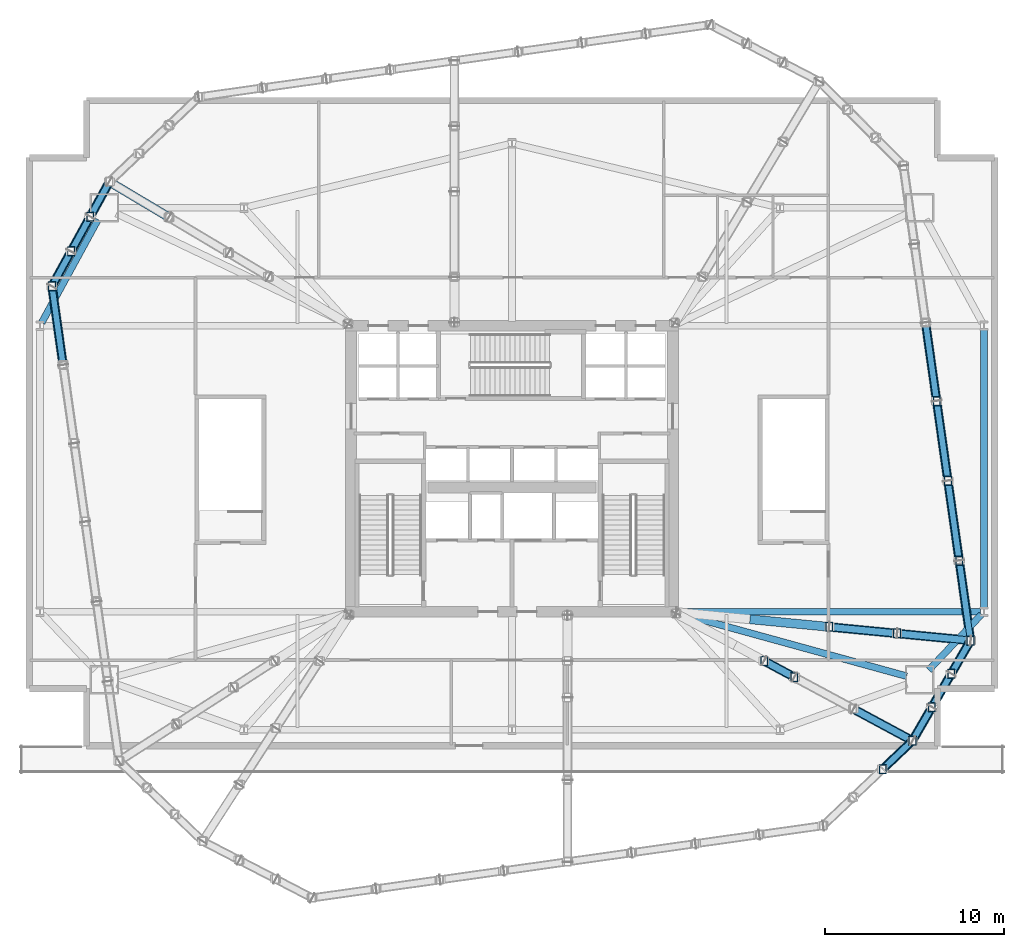
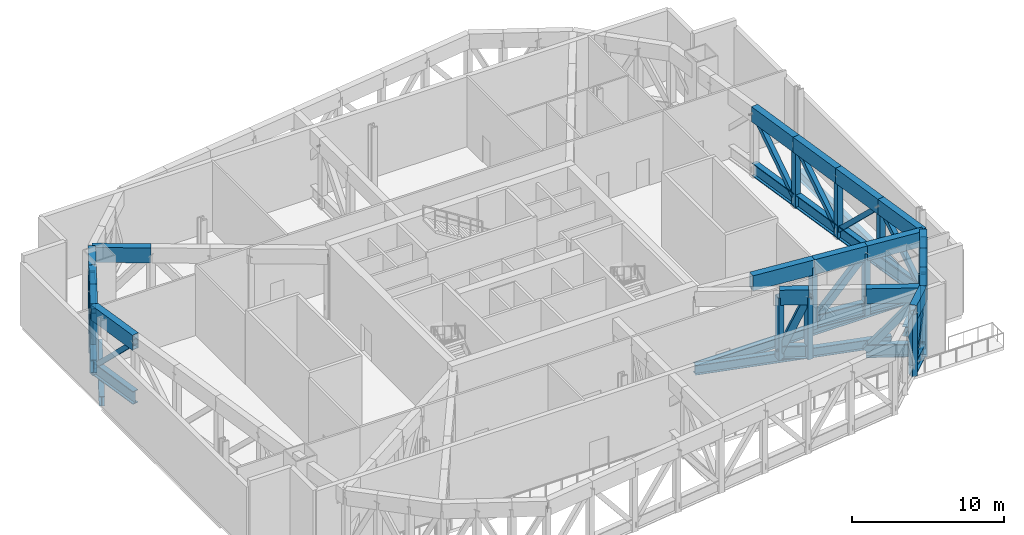
# One storey, part 3 of 15: 65 members, 5 beams.
"""IFC4 building model written with IfcOpenShell, lengths in metres."""

from ifc_helpers import new_model, si_unit, direction, frame, origin, origin_2d, place, context, subcontext, project, spatial, hollow_rectangle, i_section, extrude, material, material_profile, profile_set, type_object, element, save


model = new_model("IFC4")

# Units and contexts
model_context = context("Model", 3, precision=1e-05, world=origin(), true_north=direction((0.0, 1.0)))
body_context = subcontext(model_context, "Body", "Model", "MODEL_VIEW")
ifc_project = project(units=[si_unit("LENGTHUNIT", "METRE"), si_unit("AREAUNIT", "SQUARE_METRE"), si_unit("VOLUMEUNIT", "CUBIC_METRE"), si_unit("PLANEANGLEUNIT", "RADIAN"), si_unit("MASSUNIT", "GRAM", prefix="KILO")], contexts=[model_context])

# Site, building, storey
site_placement = place(None, origin())
site = spatial("IfcSite", under=ifc_project, at=site_placement, CompositionType="ELEMENT")
building_placement = place(site_placement, origin())
building = spatial("IfcBuilding", under=site, at=building_placement, Name="Haldenkirk Collegiate Tower", CompositionType="ELEMENT")
storey_placement = place(building_placement, frame((0.0, 0.0, 22.199951171875)))
storey = spatial("IfcBuildingStorey", under=building, at=storey_placement, Name="L04", CompositionType="ELEMENT", Elevation=22.199951171875)

# Beams
ifc_material_1 = material(Name="Steel ASTM A992 Grade 50", Category="steel")
ifc_material_profile_1 = material_profile(ifc_material_1, i_section(OverallWidth=0.381103515625, OverallDepth=0.77294921875, WebThickness=0.0166015625, FlangeThickness=0.027099609375, at=origin_2d()), Name="W30X173")
ifc_profile_set_1 = profile_set([ifc_material_profile_1], Name="Steel ASTM A992 Grade 50")
beam_type = type_object("IfcBeamType", Name="BM-GIRDER-W30X173", PredefinedType="BEAM", material=ifc_profile_set_1)
beam_1_placement = place(storey_placement, frame((59.31591796875, 14.744384765625, -0.806396484375), z_axis=(0.687730422772, 0.725966160089, 0.0), x_axis=(-0.725966160089, 0.687730422772, 0.0)))
element("IfcBeam", 1, at=beam_1_placement, inside=storey, type_object=beam_type, Name="L04 podium ring girder 05", PredefinedType="BEAM", context=body_context, shape_type="SweptSolid", body=[
    extrude(i_section(OverallWidth=0.381103515625, OverallDepth=0.77294921875, WebThickness=0.0166015625, FlangeThickness=0.027099609375, at=origin_2d()), origin(), (0.0, 0.0, 1.0), 4.284423828125),
])
beam_2_placement = place(storey_placement, frame((62.39990234375, 18.199951171875, -0.806396484375), z_axis=(0.0, 1.0, 0.0), x_axis=(-1.0, 0.0, 0.0)))
element("IfcBeam", 2, at=beam_2_placement, inside=storey, type_object=beam_type, Name="L04 podium ring girder 06", PredefinedType="BEAM", context=body_context, shape_type="SweptSolid", body=[
    extrude(i_section(OverallWidth=0.381103515625, OverallDepth=0.77294921875, WebThickness=0.0166015625, FlangeThickness=0.027099609375, at=origin_2d()), origin(), (0.0, 0.0, 1.0), 15.60009765625),
])
beam_3_placement = place(storey_placement, frame((12.8408203125, 39.941650390625, -0.806396484375), z_axis=(-0.47883650459, -0.877904096056, 0.0), x_axis=(0.877904096056, -0.47883650459, 0.0)))
element("IfcBeam", 3, at=beam_3_placement, inside=storey, type_object=beam_type, Name="L04 podium ring girder 12", PredefinedType="BEAM", context=body_context, shape_type="SweptSolid", body=[
    extrude(i_section(OverallWidth=0.381103515625, OverallDepth=0.77294921875, WebThickness=0.0166015625, FlangeThickness=0.027099609375, at=origin_2d()), origin(), (0.0, 0.0, 1.0), 6.568115234375),
])
beam_4_placement = place(storey_placement, frame((62.199951171875, 18.0, -0.806396484375), z_axis=(-1.0, 0.0, 0.0), x_axis=(0.0, -1.0, 0.0)))
element("IfcBeam", 4, at=beam_4_placement, inside=storey, type_object=beam_type, Name="L04 podium radial girder 03", PredefinedType="BEAM", context=body_context, shape_type="SweptSolid", body=[
    extrude(i_section(OverallWidth=0.381103515625, OverallDepth=0.77294921875, WebThickness=0.0166015625, FlangeThickness=0.027099609375, at=origin_2d()), origin(), (0.0, 0.0, 1.0), 16.949951171875),
])
beam_5_placement = place(storey_placement, frame((58.076904296875, 14.399169921875, -0.806396484375), z_axis=(-0.964118138457, 0.265473567606, 0.0), x_axis=(-0.265473567606, -0.964118138457, 0.0)))
element("IfcBeam", 5, at=beam_5_placement, inside=storey, type_object=beam_type, Name="L04 podium radial girder 12", PredefinedType="BEAM", context=body_context, shape_type="SweptSolid", body=[
    extrude(i_section(OverallWidth=0.381103515625, OverallDepth=0.77294921875, WebThickness=0.0166015625, FlangeThickness=0.027099609375, at=origin_2d()), origin(), (0.0, 0.0, 1.0), 13.313720703125),
])

# Members
ifc_material_2 = material(Name="Steel ASTM A572 Grade 50", Category="steel")
ifc_material_profile_2 = material_profile(ifc_material_2, hollow_rectangle(XDim=0.5, YDim=1.199951171875, WallThickness=0.050048828125, at=origin_2d()), Name="BOX1200X500X50")
ifc_profile_set_2 = profile_set([ifc_material_profile_2], Name="Steel ASTM A572 Grade 50")
member_type_1 = type_object("IfcMemberType", Name="MBR-CHORD-BOX1200", PredefinedType="CHORD", material=ifc_profile_set_2)
member_1_placement = place(storey_placement, frame((50.109375, 15.25, 4.989990234375), z_axis=(0.880553304325, -0.473947125998, 0.0), x_axis=(0.473947125998, 0.880553304325, 0.0)))
element("IfcMember", 6, at=member_1_placement, inside=storey, type_object=member_type_1, Name="Podium Transfer Truss Radial 02 top chord 3", PredefinedType="CHORD", context=body_context, shape_type="SweptSolid", body=[
    extrude(hollow_rectangle(XDim=0.5, YDim=1.199951171875, WallThickness=0.050048828125, at=origin_2d()), origin(), (0.0, 0.0, 1.0), 1.906982421875),
])
member_2_placement = place(storey_placement, frame((55.094970703125, 12.566650390625, 4.989990234375), z_axis=(0.880548340933, -0.473956347442, 0.0), x_axis=(0.473956347442, 0.880548340933, 0.0)))
element("IfcMember", 7, at=member_2_placement, inside=storey, type_object=member_type_1, Name="Podium Transfer Truss Radial 02 top chord 5", PredefinedType="CHORD", context=body_context, shape_type="SweptSolid", body=[
    extrude(hollow_rectangle(XDim=0.5, YDim=1.199951171875, WallThickness=0.050048828125, at=origin_2d()), origin(), (0.0, 0.0, 1.0), 3.754638671875),
])
member_3_placement = place(storey_placement, frame((16.81689453125, 40.06640625, 4.989990234375), z_axis=(-0.85909154755, 0.511821954324, 0.0), x_axis=(-0.511821954324, -0.85909154755, 0.0)))
element("IfcMember", 8, at=member_3_placement, inside=storey, type_object=member_type_1, Name="Podium Transfer Truss Radial 04 top chord 4", PredefinedType="CHORD", context=body_context, shape_type="SweptSolid", body=[
    extrude(hollow_rectangle(XDim=0.5, YDim=1.199951171875, WallThickness=0.050048828125, at=origin_2d()), origin(), (0.0, 0.0, 1.0), 3.88427734375),
])
member_4_placement = place(storey_placement, frame((49.311279296875, 17.583740234375, 4.989990234375), z_axis=(0.995378585489, -0.096028493424, 0.0), x_axis=(0.096028493424, 0.995378585489, 0.0)))
element("IfcMember", 9, at=member_4_placement, inside=storey, type_object=member_type_1, Name="Podium Transfer Truss Radial 06 top chord 2", PredefinedType="CHORD", context=body_context, shape_type="SweptSolid", body=[
    extrude(hollow_rectangle(XDim=0.5, YDim=1.199951171875, WallThickness=0.050048828125, at=origin_2d()), origin(), (0.0, 0.0, 1.0), 4.459228515625),
])
member_5_placement = place(storey_placement, frame((53.75, 17.155517578125, 4.989990234375), z_axis=(0.995372617527, -0.096090333942, 0.0), x_axis=(0.096090333942, 0.995372617527, 0.0)))
element("IfcMember", 10, at=member_5_placement, inside=storey, type_object=member_type_1, Name="Podium Transfer Truss Radial 06 top chord 3", PredefinedType="CHORD", context=body_context, shape_type="SweptSolid", body=[
    extrude(hollow_rectangle(XDim=0.5, YDim=1.199951171875, WallThickness=0.050048828125, at=origin_2d()), origin(), (0.0, 0.0, 1.0), 3.803466796875),
])
member_6_placement = place(storey_placement, frame((57.535888671875, 16.7900390625, 4.989990234375), z_axis=(0.995373013348, -0.096086233656, 0.0), x_axis=(0.096086233656, 0.995373013348, 0.0)))
element("IfcMember", 11, at=member_6_placement, inside=storey, type_object=member_type_1, Name="Podium Transfer Truss Radial 06 top chord 4", PredefinedType="CHORD", context=body_context, shape_type="SweptSolid", body=[
    extrude(hollow_rectangle(XDim=0.5, YDim=1.199951171875, WallThickness=0.050048828125, at=origin_2d()), origin(), (0.0, 0.0, 1.0), 4.13134765625),
])
member_7_placement = place(storey_placement, frame((56.73486328125, 9.204833984375, 4.989990234375), z_axis=(0.725145316902, 0.688595867962, 0.0), x_axis=(-0.688595867962, 0.725145316902, 0.0)))
element("IfcMember", 12, at=member_7_placement, inside=storey, type_object=member_type_1, Name="Podium Transfer Truss Belt 04 top chord 3", PredefinedType="CHORD", context=body_context, shape_type="SweptSolid", body=[
    extrude(hollow_rectangle(XDim=0.5, YDim=1.199951171875, WallThickness=0.050048828125, at=origin_2d()), origin(), (0.0, 0.0, 1.0), 2.2978515625),
])
member_8_placement = place(storey_placement, frame((58.401123046875, 10.787109375, 4.989990234375), z_axis=(0.501183331715, 0.865341128117, 0.0), x_axis=(-0.865341128117, 0.501183331715, 0.0)))
element("IfcMember", 13, at=member_8_placement, inside=storey, type_object=member_type_1, Name="Podium Transfer Truss Belt 05 top chord 1", PredefinedType="CHORD", context=body_context, shape_type="SweptSolid", body=[
    extrude(hollow_rectangle(XDim=0.5, YDim=1.199951171875, WallThickness=0.050048828125, at=origin_2d()), origin(), (0.0, 0.0, 1.0), 2.159423828125),
])
member_9_placement = place(storey_placement, frame((59.4833984375, 12.65576171875, 4.989990234375), z_axis=(0.501267983606, 0.865292094389, 0.0), x_axis=(-0.865292094389, 0.501267983606, 0.0)))
element("IfcMember", 14, at=member_9_placement, inside=storey, type_object=member_type_1, Name="Podium Transfer Truss Belt 05 top chord 2", PredefinedType="CHORD", context=body_context, shape_type="SweptSolid", body=[
    extrude(hollow_rectangle(XDim=0.5, YDim=1.199951171875, WallThickness=0.050048828125, at=origin_2d()), origin(), (0.0, 0.0, 1.0), 2.15966796875),
])
member_10_placement = place(storey_placement, frame((60.56591796875, 14.5244140625, 4.989990234375), z_axis=(0.501183331715, 0.865341128117, 0.0), x_axis=(-0.865341128117, 0.501183331715, 0.0)))
element("IfcMember", 15, at=member_10_placement, inside=storey, type_object=member_type_1, Name="Podium Transfer Truss Belt 05 top chord 3", PredefinedType="CHORD", context=body_context, shape_type="SweptSolid", body=[
    extrude(hollow_rectangle(XDim=0.5, YDim=1.199951171875, WallThickness=0.050048828125, at=origin_2d()), origin(), (0.0, 0.0, 1.0), 2.159423828125),
])
member_11_placement = place(storey_placement, frame((61.648193359375, 16.39306640625, 4.989990234375), z_axis=(-0.140056925638, 0.990143453031, 0.0), x_axis=(-0.990143453031, -0.140056925638, 0.0)))
element("IfcMember", 16, at=member_11_placement, inside=storey, type_object=member_type_1, Name="Podium Transfer Truss Belt 06 top chord 1", PredefinedType="CHORD", context=body_context, shape_type="SweptSolid", body=[
    extrude(hollow_rectangle(XDim=0.5, YDim=1.199951171875, WallThickness=0.050048828125, at=origin_2d()), origin(), (0.0, 0.0, 1.0), 4.509521484375),
])
for number, where, z_axis, x_axis, name in (
    (17, (61.0166015625, 20.858154296875, 4.989990234375), (-0.140049418268, 0.990144514928, 0.0), (-0.990144514928, -0.140049418268, 0.0), "Podium Transfer Truss Belt 06 top chord 2"),
    (18, (60.385009765625, 25.323486328125, 4.989990234375), (-0.140049418268, 0.990144514928, 0.0), (-0.990144514928, -0.140049418268, 0.0), "Podium Transfer Truss Belt 06 top chord 3"),
):
    element("IfcMember", number, at=place(storey_placement, frame(where, z_axis=z_axis, x_axis=x_axis)), inside=storey, type_object=member_type_1, Name=name, PredefinedType="CHORD", context=body_context, shape_type="SweptSolid", body=[
        extrude(hollow_rectangle(XDim=0.5, YDim=1.199951171875, WallThickness=0.050048828125, at=origin_2d()), origin(), (0.0, 0.0, 1.0), 4.509765625),
    ])
member_12_placement = place(storey_placement, frame((59.75341796875, 29.788818359375, 4.989990234375), z_axis=(-0.140032465357, 0.990146912658, 0.0), x_axis=(-0.990146912658, -0.140032465357, 0.0)))
element("IfcMember", 19, at=member_12_placement, inside=storey, type_object=member_type_1, Name="Podium Transfer Truss Belt 07 top chord 1", PredefinedType="CHORD", context=body_context, shape_type="SweptSolid", body=[
    extrude(hollow_rectangle(XDim=0.5, YDim=1.199951171875, WallThickness=0.050048828125, at=origin_2d()), origin(), (0.0, 0.0, 1.0), 4.43017578125),
])
member_13_placement = place(storey_placement, frame((13.47998046875, 42.054443359375, 4.989990234375), z_axis=(-0.482066347745, -0.876134713598, 0.0), x_axis=(0.876134713598, -0.482066347745, 0.0)))
element("IfcMember", 20, at=member_13_placement, inside=storey, type_object=member_type_1, Name="Podium Transfer Truss Belt 13 top chord 1", PredefinedType="CHORD", context=body_context, shape_type="SweptSolid", body=[
    extrude(hollow_rectangle(XDim=0.5, YDim=1.199951171875, WallThickness=0.050048828125, at=origin_2d()), origin(), (0.0, 0.0, 1.0), 2.22216796875),
])
for number, where, z_axis, x_axis, name in (
    (21, (12.40869140625, 40.107421875, 4.989990234375), (-0.482019951544, -0.87616024009, 0.0), (0.87616024009, -0.482019951544, 0.0), "Podium Transfer Truss Belt 13 top chord 2"),
    (22, (11.33740234375, 38.16015625, 4.989990234375), (-0.482019951544, -0.87616024009, 0.0), (0.87616024009, -0.482019951544, 0.0), "Podium Transfer Truss Belt 13 top chord 3"),
):
    element("IfcMember", number, at=place(storey_placement, frame(where, z_axis=z_axis, x_axis=x_axis)), inside=storey, type_object=member_type_1, Name=name, PredefinedType="CHORD", context=body_context, shape_type="SweptSolid", body=[
        extrude(hollow_rectangle(XDim=0.5, YDim=1.199951171875, WallThickness=0.050048828125, at=origin_2d()), origin(), (0.0, 0.0, 1.0), 2.222412109375),
    ])
member_14_placement = place(storey_placement, frame((10.26611328125, 36.212890625, 4.989990234375), z_axis=(0.140086493285, -0.990139270203, 0.0), x_axis=(0.990139270203, 0.140086493285, 0.0)))
element("IfcMember", 23, at=member_14_placement, inside=storey, type_object=member_type_1, Name="Podium Transfer Truss Belt 14 top chord 1", PredefinedType="CHORD", context=body_context, shape_type="SweptSolid", body=[
    extrude(hollow_rectangle(XDim=0.5, YDim=1.199951171875, WallThickness=0.050048828125, at=origin_2d()), origin(), (0.0, 0.0, 1.0), 4.43017578125),
])
ifc_material_3 = material(Name="Steel ASTM A913 Grade 65", Category="steel")
ifc_material_profile_3 = material_profile(ifc_material_3, i_section(OverallWidth=0.4189453125, OverallDepth=1.041015625, WebThickness=0.031005859375, FlangeThickness=0.055908203125, at=origin_2d()), Name="W40X397")
ifc_profile_set_3 = profile_set([ifc_material_profile_3], Name="Steel ASTM A913 Grade 65")
member_type_2 = type_object("IfcMemberType", Name="MBR-CHORD-W40X397", PredefinedType="CHORD", material=ifc_profile_set_3)
member_15_placement = place(storey_placement, frame((50.109375, 15.25, 0.550048828125), z_axis=(0.880553304325, -0.473947125998, 0.0), x_axis=(0.473947125998, 0.880553304325, 0.0)))
element("IfcMember", 24, at=member_15_placement, inside=storey, type_object=member_type_2, Name="Podium Transfer Truss Radial 02 bottom chord 3", PredefinedType="CHORD", context=body_context, shape_type="SweptSolid", body=[
    extrude(i_section(OverallWidth=0.4189453125, OverallDepth=1.041015625, WebThickness=0.031005859375, FlangeThickness=0.055908203125, at=origin_2d()), origin(), (0.0, 0.0, 1.0), 1.906982421875),
])
member_16_placement = place(storey_placement, frame((55.094970703125, 12.566650390625, 0.550048828125), z_axis=(0.880548340933, -0.473956347442, 0.0), x_axis=(0.473956347442, 0.880548340933, 0.0)))
element("IfcMember", 25, at=member_16_placement, inside=storey, type_object=member_type_2, Name="Podium Transfer Truss Radial 02 bottom chord 5", PredefinedType="CHORD", context=body_context, shape_type="SweptSolid", body=[
    extrude(i_section(OverallWidth=0.4189453125, OverallDepth=1.041015625, WebThickness=0.031005859375, FlangeThickness=0.055908203125, at=origin_2d()), origin(), (0.0, 0.0, 1.0), 3.754638671875),
])
member_17_placement = place(storey_placement, frame((53.75, 17.155517578125, 0.550048828125), z_axis=(0.995372617527, -0.096090333942, 0.0), x_axis=(0.096090333942, 0.995372617527, 0.0)))
element("IfcMember", 26, at=member_17_placement, inside=storey, type_object=member_type_2, Name="Podium Transfer Truss Radial 06 bottom chord 3", PredefinedType="CHORD", context=body_context, shape_type="SweptSolid", body=[
    extrude(i_section(OverallWidth=0.4189453125, OverallDepth=1.041015625, WebThickness=0.031005859375, FlangeThickness=0.055908203125, at=origin_2d()), origin(), (0.0, 0.0, 1.0), 3.803466796875),
])
member_18_placement = place(storey_placement, frame((57.535888671875, 16.7900390625, 0.550048828125), z_axis=(0.995373013348, -0.096086233656, 0.0), x_axis=(0.096086233656, 0.995373013348, 0.0)))
element("IfcMember", 27, at=member_18_placement, inside=storey, type_object=member_type_2, Name="Podium Transfer Truss Radial 06 bottom chord 4", PredefinedType="CHORD", context=body_context, shape_type="SweptSolid", body=[
    extrude(i_section(OverallWidth=0.4189453125, OverallDepth=1.041015625, WebThickness=0.031005859375, FlangeThickness=0.055908203125, at=origin_2d()), origin(), (0.0, 0.0, 1.0), 4.13134765625),
])
member_19_placement = place(storey_placement, frame((56.73486328125, 9.204833984375, 0.550048828125), z_axis=(0.725145316902, 0.688595867962, 0.0), x_axis=(-0.688595867962, 0.725145316902, 0.0)))
element("IfcMember", 28, at=member_19_placement, inside=storey, type_object=member_type_2, Name="Podium Transfer Truss Belt 04 bottom chord 3", PredefinedType="CHORD", context=body_context, shape_type="SweptSolid", body=[
    extrude(i_section(OverallWidth=0.4189453125, OverallDepth=1.041015625, WebThickness=0.031005859375, FlangeThickness=0.055908203125, at=origin_2d()), origin(), (0.0, 0.0, 1.0), 2.2978515625),
])
member_20_placement = place(storey_placement, frame((58.401123046875, 10.787109375, 0.550048828125), z_axis=(0.501183331715, 0.865341128117, 0.0), x_axis=(-0.865341128117, 0.501183331715, 0.0)))
element("IfcMember", 29, at=member_20_placement, inside=storey, type_object=member_type_2, Name="Podium Transfer Truss Belt 05 bottom chord 1", PredefinedType="CHORD", context=body_context, shape_type="SweptSolid", body=[
    extrude(i_section(OverallWidth=0.4189453125, OverallDepth=1.041015625, WebThickness=0.031005859375, FlangeThickness=0.055908203125, at=origin_2d()), origin(), (0.0, 0.0, 1.0), 2.159423828125),
])
member_21_placement = place(storey_placement, frame((59.4833984375, 12.65576171875, 0.550048828125), z_axis=(0.501267983606, 0.865292094389, 0.0), x_axis=(-0.865292094389, 0.501267983606, 0.0)))
element("IfcMember", 30, at=member_21_placement, inside=storey, type_object=member_type_2, Name="Podium Transfer Truss Belt 05 bottom chord 2", PredefinedType="CHORD", context=body_context, shape_type="SweptSolid", body=[
    extrude(i_section(OverallWidth=0.4189453125, OverallDepth=1.041015625, WebThickness=0.031005859375, FlangeThickness=0.055908203125, at=origin_2d()), origin(), (0.0, 0.0, 1.0), 2.15966796875),
])
member_22_placement = place(storey_placement, frame((60.56591796875, 14.5244140625, 0.550048828125), z_axis=(0.501183331715, 0.865341128117, 0.0), x_axis=(-0.865341128117, 0.501183331715, 0.0)))
element("IfcMember", 31, at=member_22_placement, inside=storey, type_object=member_type_2, Name="Podium Transfer Truss Belt 05 bottom chord 3", PredefinedType="CHORD", context=body_context, shape_type="SweptSolid", body=[
    extrude(i_section(OverallWidth=0.4189453125, OverallDepth=1.041015625, WebThickness=0.031005859375, FlangeThickness=0.055908203125, at=origin_2d()), origin(), (0.0, 0.0, 1.0), 2.159423828125),
])
member_23_placement = place(storey_placement, frame((61.648193359375, 16.39306640625, 0.550048828125), z_axis=(-0.140056925638, 0.990143453031, 0.0), x_axis=(-0.990143453031, -0.140056925638, 0.0)))
element("IfcMember", 32, at=member_23_placement, inside=storey, type_object=member_type_2, Name="Podium Transfer Truss Belt 06 bottom chord 1", PredefinedType="CHORD", context=body_context, shape_type="SweptSolid", body=[
    extrude(i_section(OverallWidth=0.4189453125, OverallDepth=1.041015625, WebThickness=0.031005859375, FlangeThickness=0.055908203125, at=origin_2d()), origin(), (0.0, 0.0, 1.0), 4.509521484375),
])
for number, where, z_axis, x_axis, name in (
    (33, (61.0166015625, 20.858154296875, 0.550048828125), (-0.140049418268, 0.990144514928, 0.0), (-0.990144514928, -0.140049418268, 0.0), "Podium Transfer Truss Belt 06 bottom chord 2"),
    (34, (60.385009765625, 25.323486328125, 0.550048828125), (-0.140049418268, 0.990144514928, 0.0), (-0.990144514928, -0.140049418268, 0.0), "Podium Transfer Truss Belt 06 bottom chord 3"),
):
    element("IfcMember", number, at=place(storey_placement, frame(where, z_axis=z_axis, x_axis=x_axis)), inside=storey, type_object=member_type_2, Name=name, PredefinedType="CHORD", context=body_context, shape_type="SweptSolid", body=[
        extrude(i_section(OverallWidth=0.4189453125, OverallDepth=1.041015625, WebThickness=0.031005859375, FlangeThickness=0.055908203125, at=origin_2d()), origin(), (0.0, 0.0, 1.0), 4.509765625),
    ])
member_24_placement = place(storey_placement, frame((59.75341796875, 29.788818359375, 0.550048828125), z_axis=(-0.140032465357, 0.990146912658, 0.0), x_axis=(-0.990146912658, -0.140032465357, 0.0)))
element("IfcMember", 35, at=member_24_placement, inside=storey, type_object=member_type_2, Name="Podium Transfer Truss Belt 07 bottom chord 1", PredefinedType="CHORD", context=body_context, shape_type="SweptSolid", body=[
    extrude(i_section(OverallWidth=0.4189453125, OverallDepth=1.041015625, WebThickness=0.031005859375, FlangeThickness=0.055908203125, at=origin_2d()), origin(), (0.0, 0.0, 1.0), 4.43017578125),
])
member_25_placement = place(storey_placement, frame((13.47998046875, 42.054443359375, 0.550048828125), z_axis=(-0.482066347745, -0.876134713598, 0.0), x_axis=(0.876134713598, -0.482066347745, 0.0)))
element("IfcMember", 36, at=member_25_placement, inside=storey, type_object=member_type_2, Name="Podium Transfer Truss Belt 13 bottom chord 1", PredefinedType="CHORD", context=body_context, shape_type="SweptSolid", body=[
    extrude(i_section(OverallWidth=0.4189453125, OverallDepth=1.041015625, WebThickness=0.031005859375, FlangeThickness=0.055908203125, at=origin_2d()), origin(), (0.0, 0.0, 1.0), 2.22216796875),
])
for number, where, z_axis, x_axis, name in (
    (37, (12.40869140625, 40.107421875, 0.550048828125), (-0.482019951544, -0.87616024009, 0.0), (0.87616024009, -0.482019951544, 0.0), "Podium Transfer Truss Belt 13 bottom chord 2"),
    (38, (11.33740234375, 38.16015625, 0.550048828125), (-0.482019951544, -0.87616024009, 0.0), (0.87616024009, -0.482019951544, 0.0), "Podium Transfer Truss Belt 13 bottom chord 3"),
):
    element("IfcMember", number, at=place(storey_placement, frame(where, z_axis=z_axis, x_axis=x_axis)), inside=storey, type_object=member_type_2, Name=name, PredefinedType="CHORD", context=body_context, shape_type="SweptSolid", body=[
        extrude(i_section(OverallWidth=0.4189453125, OverallDepth=1.041015625, WebThickness=0.031005859375, FlangeThickness=0.055908203125, at=origin_2d()), origin(), (0.0, 0.0, 1.0), 2.222412109375),
    ])
member_26_placement = place(storey_placement, frame((10.26611328125, 36.212890625, 0.550048828125), z_axis=(0.140086493285, -0.990139270203, 0.0), x_axis=(0.990139270203, 0.140086493285, 0.0)))
element("IfcMember", 39, at=member_26_placement, inside=storey, type_object=member_type_2, Name="Podium Transfer Truss Belt 14 bottom chord 1", PredefinedType="CHORD", context=body_context, shape_type="SweptSolid", body=[
    extrude(i_section(OverallWidth=0.4189453125, OverallDepth=1.041015625, WebThickness=0.031005859375, FlangeThickness=0.055908203125, at=origin_2d()), origin(), (0.0, 0.0, 1.0), 4.43017578125),
])
ifc_material_profile_4 = material_profile(ifc_material_2, hollow_rectangle(XDim=0.35009765625, YDim=0.35009765625, WallThickness=0.01611328125, at=origin_2d()), Name="HSS350X350X16")
ifc_profile_set_4 = profile_set([ifc_material_profile_4], Name="Steel ASTM A572 Grade 50")
member_type_3 = type_object("IfcMemberType", Name="MBR-TRUSSDIAG-HSS350X350X16", PredefinedType="BRACE", material=ifc_profile_set_4)
member_27_placement = place(storey_placement, frame((56.73486328125, 9.204833984375, 0.550048828125), z_axis=(0.333297973358, 0.316498778804, 0.888110907472), x_axis=(-0.688595867962, 0.725145316902, 0.0)))
element("IfcMember", 40, at=member_27_placement, inside=storey, type_object=member_type_3, Name="Podium Transfer Truss Belt 04 web diagonal 3", PredefinedType="BRACE", context=body_context, shape_type="SweptSolid", body=[
    extrude(hollow_rectangle(XDim=0.35009765625, YDim=0.35009765625, WallThickness=0.01611328125, at=origin_2d()), origin(), (0.0, 0.0, 1.0), 4.999267578125),
])
for number, where, z_axis, x_axis, name in (
    (41, (58.401123046875, 10.787109375, 0.550048828125), (0.219206907422, 0.378481766165, 0.899277423501), (-0.865341128117, 0.501183331715, 0.0), "Podium Transfer Truss Belt 05 web diagonal 1"),
    (42, (59.4833984375, 12.65576171875, 4.989990234375), (0.21925397944, 0.378477663202, -0.899267674809), (-0.865292094389, 0.501267983606, 0.0), "Podium Transfer Truss Belt 05 web diagonal 2"),
    (43, (60.56591796875, 14.5244140625, 0.550048828125), (0.219206907422, 0.378481766165, 0.899277423501), (-0.865341128117, 0.501183331715, 0.0), "Podium Transfer Truss Belt 05 web diagonal 3"),
):
    element("IfcMember", number, at=place(storey_placement, frame(where, z_axis=z_axis, x_axis=x_axis)), inside=storey, type_object=member_type_3, Name=name, PredefinedType="BRACE", context=body_context, shape_type="SweptSolid", body=[
        extrude(hollow_rectangle(XDim=0.35009765625, YDim=0.35009765625, WallThickness=0.01611328125, at=origin_2d()), origin(), (0.0, 0.0, 1.0), 4.937255859375),
    ])
member_28_placement = place(storey_placement, frame((61.648193359375, 16.39306640625, 0.550048828125), z_axis=(-0.099802324059, 0.705560380639, 0.70158680531), x_axis=(-0.990143453031, -0.140056925638, 0.0)))
element("IfcMember", 44, at=member_28_placement, inside=storey, type_object=member_type_3, Name="Podium Transfer Truss Belt 06 web diagonal 1", PredefinedType="BRACE", context=body_context, shape_type="SweptSolid", body=[
    extrude(hollow_rectangle(XDim=0.35009765625, YDim=0.35009765625, WallThickness=0.01611328125, at=origin_2d()), origin(), (0.0, 0.0, 1.0), 6.328369140625),
])
for number, where, z_axis, x_axis, name in (
    (45, (61.0166015625, 20.858154296875, 4.989990234375), (-0.099799607537, 0.705579753325, -0.701567708801), (-0.990144514928, -0.140049418268, 0.0), "Podium Transfer Truss Belt 06 web diagonal 2"),
    (46, (60.385009765625, 25.323486328125, 0.550048828125), (-0.099799607537, 0.705579753325, 0.701567708801), (-0.990144514928, -0.140049418268, 0.0), "Podium Transfer Truss Belt 06 web diagonal 3"),
):
    element("IfcMember", number, at=place(storey_placement, frame(where, z_axis=z_axis, x_axis=x_axis)), inside=storey, type_object=member_type_3, Name=name, PredefinedType="BRACE", context=body_context, shape_type="SweptSolid", body=[
        extrude(hollow_rectangle(XDim=0.35009765625, YDim=0.35009765625, WallThickness=0.01611328125, at=origin_2d()), origin(), (0.0, 0.0, 1.0), 6.32861328125),
    ])
member_29_placement = place(storey_placement, frame((59.75341796875, 29.788818359375, 0.550048828125), z_axis=(-0.098908263431, 0.699364332573, 0.707888893648), x_axis=(-0.990146912658, -0.140032465357, 0.0)))
element("IfcMember", 47, at=member_29_placement, inside=storey, type_object=member_type_3, Name="Podium Transfer Truss Belt 07 web diagonal 1", PredefinedType="BRACE", context=body_context, shape_type="SweptSolid", body=[
    extrude(hollow_rectangle(XDim=0.35009765625, YDim=0.35009765625, WallThickness=0.01611328125, at=origin_2d()), origin(), (0.0, 0.0, 1.0), 6.27197265625),
])
for number, where, z_axis, x_axis, name in (
    (48, (13.47998046875, 42.054443359375, 0.550048828125), (-0.215766405992, -0.392146100225, 0.894240624286), (0.876134713598, -0.482066347745, 0.0), "Podium Transfer Truss Belt 13 web diagonal 1"),
    (49, (12.40869140625, 40.107421875, 4.989990234375), (-0.215762245319, -0.392187709358, -0.894223380439), (0.87616024009, -0.482019951544, 0.0), "Podium Transfer Truss Belt 13 web diagonal 2"),
    (50, (11.33740234375, 38.16015625, 0.550048828125), (-0.215762245319, -0.392187709358, 0.894223380439), (0.87616024009, -0.482019951544, 0.0), "Podium Transfer Truss Belt 13 web diagonal 3"),
):
    element("IfcMember", number, at=place(storey_placement, frame(where, z_axis=z_axis, x_axis=x_axis)), inside=storey, type_object=member_type_3, Name=name, PredefinedType="BRACE", context=body_context, shape_type="SweptSolid", body=[
        extrude(hollow_rectangle(XDim=0.35009765625, YDim=0.35009765625, WallThickness=0.01611328125, at=origin_2d()), origin(), (0.0, 0.0, 1.0), 4.965087890625),
    ])
member_30_placement = place(storey_placement, frame((10.26611328125, 36.212890625, 0.550048828125), z_axis=(0.098946807348, -0.699361639507, 0.707886167757), x_axis=(0.990139270203, 0.140086493285, 0.0)))
element("IfcMember", 51, at=member_30_placement, inside=storey, type_object=member_type_3, Name="Podium Transfer Truss Belt 14 web diagonal 1", PredefinedType="BRACE", context=body_context, shape_type="SweptSolid", body=[
    extrude(hollow_rectangle(XDim=0.35009765625, YDim=0.35009765625, WallThickness=0.01611328125, at=origin_2d()), origin(), (0.0, 0.0, 1.0), 6.272216796875),
])
ifc_material_profile_5 = material_profile(ifc_material_2, hollow_rectangle(XDim=0.39990234375, YDim=0.5, WallThickness=0.02490234375, at=origin_2d()), Name="HSS500X400X25")
ifc_profile_set_5 = profile_set([ifc_material_profile_5], Name="Steel ASTM A572 Grade 50")
member_type_4 = type_object("IfcMemberType", Name="MBR-TRUSSDIAG-HSS500X400X25", PredefinedType="BRACE", material=ifc_profile_set_5)
member_31_placement = place(storey_placement, frame((50.109375, 15.25, 0.550048828125), z_axis=(0.347505710717, -0.18704073002, 0.918833796904), x_axis=(0.473947125998, 0.880553304325, 0.0)))
element("IfcMember", 52, at=member_31_placement, inside=storey, type_object=member_type_4, Name="Podium Transfer Truss Radial 02 web diagonal 3", PredefinedType="BRACE", context=body_context, shape_type="SweptSolid", body=[
    extrude(hollow_rectangle(XDim=0.39990234375, YDim=0.5, WallThickness=0.02490234375, at=origin_2d()), origin(), (0.0, 0.0, 1.0), 4.83203125),
])
member_32_placement = place(storey_placement, frame((55.094970703125, 12.566650390625, 0.550048828125), z_axis=(0.568587272422, -0.30604287614, 0.763574666686), x_axis=(0.473956347442, 0.880548340933, 0.0)))
element("IfcMember", 53, at=member_32_placement, inside=storey, type_object=member_type_4, Name="Podium Transfer Truss Radial 02 web diagonal 5", PredefinedType="BRACE", context=body_context, shape_type="SweptSolid", body=[
    extrude(hollow_rectangle(XDim=0.39990234375, YDim=0.5, WallThickness=0.02490234375, at=origin_2d()), origin(), (0.0, 0.0, 1.0), 5.814697265625),
])
member_33_placement = place(storey_placement, frame((53.75, 17.155517578125, 0.550048828125), z_axis=(0.647566397237, -0.062514148234, 0.759440414016), x_axis=(0.096090333942, 0.995372617527, 0.0)))
element("IfcMember", 54, at=member_33_placement, inside=storey, type_object=member_type_4, Name="Podium Transfer Truss Radial 06 web diagonal 3", PredefinedType="BRACE", context=body_context, shape_type="SweptSolid", body=[
    extrude(hollow_rectangle(XDim=0.39990234375, YDim=0.5, WallThickness=0.02490234375, at=origin_2d()), origin(), (0.0, 0.0, 1.0), 5.846435546875),
])
member_34_placement = place(storey_placement, frame((57.535888671875, 16.7900390625, 4.989990234375), z_axis=(0.678061813006, -0.065455266442, -0.732084548286), x_axis=(0.096086233656, 0.995373013348, 0.0)))
element("IfcMember", 55, at=member_34_placement, inside=storey, type_object=member_type_4, Name="Podium Transfer Truss Radial 06 web diagonal 4", PredefinedType="BRACE", context=body_context, shape_type="SweptSolid", body=[
    extrude(hollow_rectangle(XDim=0.39990234375, YDim=0.5, WallThickness=0.02490234375, at=origin_2d()), origin(), (0.0, 0.0, 1.0), 6.064697265625),
])
ifc_material_profile_6 = material_profile(ifc_material_2, hollow_rectangle(XDim=0.39990234375, YDim=0.5, WallThickness=0.02490234375, at=origin_2d()), Name="HSS500X400X25")
ifc_profile_set_6 = profile_set([ifc_material_profile_6], Name="Steel ASTM A572 Grade 50")
member_type_5 = type_object("IfcMemberType", Name="MBR-TRUSSPOST-HSS500X400X25", PredefinedType="POST", material=ifc_profile_set_6)
for number, where, z_axis, x_axis, name in (
    (56, (50.109375, 15.25, 0.0), (0.0, 0.0, 1.0), (1.0, 0.0, 0.0), "Podium Transfer Truss Radial 02 vertical post 3"),
    (57, (51.78857421875, 14.34619140625, 0.0), (0.0, 0.0, 1.0), (1.0, 0.0, 0.0), "Podium Transfer Truss Radial 02 vertical post 4"),
    (58, (58.401123046875, 10.787109375, 0.0), (0.0, 0.0, 1.0), (1.0, 0.0, 0.0), "Podium Transfer Truss Radial 02 vertical post 6"),
    (59, (53.75, 17.155517578125, 0.0), (0.0, 0.0, 1.0), (1.0, 0.0, 0.0), "Podium Transfer Truss Radial 06 vertical post 3"),
    (60, (57.535888671875, 16.7900390625, 0.0), (0.0, 0.0, 1.0), (1.0, 0.0, 0.0), "Podium Transfer Truss Radial 06 vertical post 4"),
    (61, (61.648193359375, 16.39306640625, 0.0), (0.0, 0.0, 1.0), (1.0, 0.0, 0.0), "Podium Transfer Truss Radial 06 vertical post 5"),
    (62, (56.73486328125, 9.204833984375, 0.0), (0.0, 0.0, 1.0), (1.0, 0.0, 0.0), "Podium Transfer Truss Belt 04 vertical post 3"),
    (63, (59.4833984375, 12.65576171875, 0.0), (0.0, 0.0, 1.0), (1.0, 0.0, 0.0), "Podium Transfer Truss Belt 05 vertical post 2"),
    (64, (60.56591796875, 14.5244140625, 0.0), (0.0, 0.0, 1.0), (1.0, 0.0, 0.0), "Podium Transfer Truss Belt 05 vertical post 3"),
    (65, (61.0166015625, 20.858154296875, 0.0), (0.0, 0.0, 1.0), (1.0, 0.0, 0.0), "Podium Transfer Truss Belt 06 vertical post 2"),
    (66, (60.385009765625, 25.323486328125, 0.0), (0.0, 0.0, 1.0), (1.0, 0.0, 0.0), "Podium Transfer Truss Belt 06 vertical post 3"),
    (67, (59.75341796875, 29.788818359375, 0.0), (0.0, 0.0, 1.0), (1.0, 0.0, 0.0), "Podium Transfer Truss Belt 06 vertical post 4"),
    (68, (12.40869140625, 40.107421875, 0.0), (0.0, 0.0, 1.0), (1.0, 0.0, 0.0), "Podium Transfer Truss Belt 13 vertical post 2"),
    (69, (11.33740234375, 38.16015625, 0.0), (0.0, 0.0, 1.0), (1.0, 0.0, 0.0), "Podium Transfer Truss Belt 13 vertical post 3"),
    (70, (10.26611328125, 36.212890625, 0.0), (0.0, 0.0, 1.0), (1.0, 0.0, 0.0), "Podium Transfer Truss Belt 13 vertical post 4"),
):
    element("IfcMember", number, at=place(storey_placement, frame(where, z_axis=z_axis, x_axis=x_axis)), inside=storey, type_object=member_type_5, Name=name, PredefinedType="POST", context=body_context, shape_type="SweptSolid", body=[
        extrude(hollow_rectangle(XDim=0.39990234375, YDim=0.5, WallThickness=0.02490234375, at=origin_2d()), origin(), (0.0, 0.0, 1.0), 4.989990234375),
    ])

save(model, "model.ifc")
